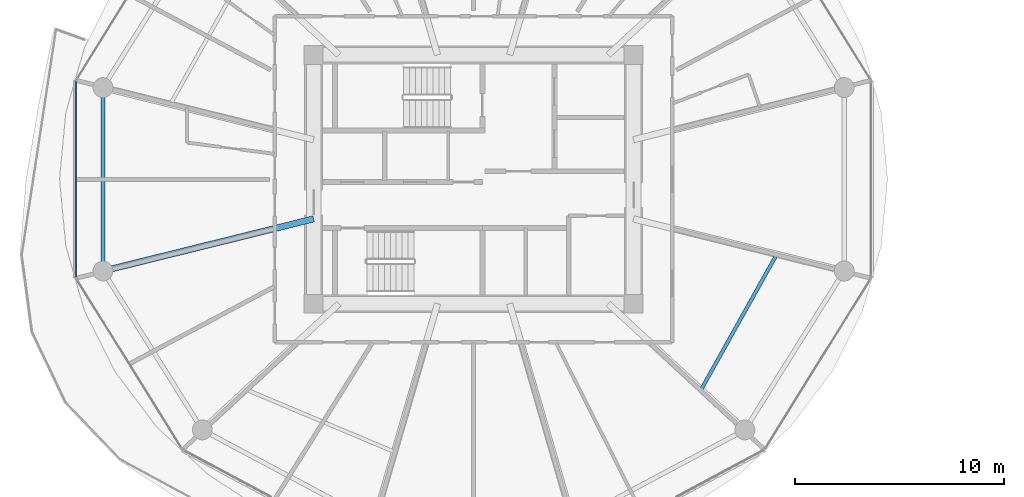
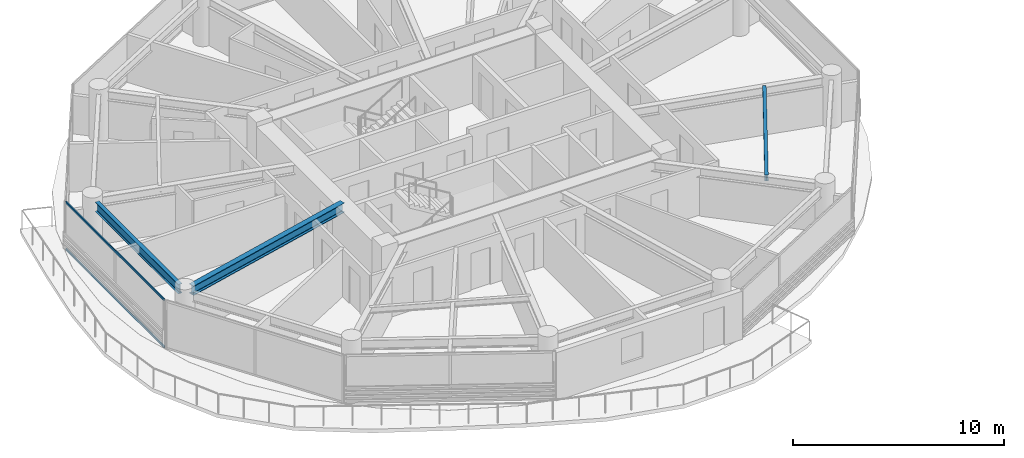
# One storey, part 3 of 27: 3 beams, 2 members, 1 element without a shape of its own.
"""IFC4 building model written with IfcOpenShell, lengths in metres."""

from ifc_helpers import new_model, si_unit, direction, frame, origin, origin_2d, place, context, subcontext, project, spatial, rectangle, i_section, extrude, source, transform, mapped, material, layer, layer_set, material_profile, profile_set, type_object, type_shapes, element, aggregate, save


model = new_model("IFC4")

# Units and contexts
model_context = context("Model", 3, precision=1e-05, world=origin(), true_north=direction((0.0, 1.0)))
body_context = subcontext(model_context, "Body", "Model", "MODEL_VIEW")
ifc_project = project(units=[si_unit("LENGTHUNIT", "METRE"), si_unit("AREAUNIT", "SQUARE_METRE"), si_unit("VOLUMEUNIT", "CUBIC_METRE"), si_unit("PLANEANGLEUNIT", "RADIAN"), si_unit("MASSUNIT", "GRAM", prefix="KILO")], contexts=[model_context])

# Site, building, storey
site_placement = place(None, origin())
site = spatial("IfcSite", under=ifc_project, at=site_placement, CompositionType="ELEMENT")
building_placement = place(site_placement, origin())
building = spatial("IfcBuilding", under=site, at=building_placement, Name="Norrkilde Senior Care Towers", CompositionType="ELEMENT")
storey_placement = place(building_placement, frame((0.0, 0.0, 46.0)))
storey = spatial("IfcBuildingStorey", under=building, at=storey_placement, Name="L13", CompositionType="ELEMENT", Elevation=46.0)

# Beams
ifc_material_1 = material(Name="Steel S355", Category="steel")
ifc_material_profile_1 = material_profile(ifc_material_1, i_section(OverallWidth=0.300048828125, OverallDepth=0.550048828125, WebThickness=0.014892578125, FlangeThickness=0.029052734375, FilletRadius=0.027099609375, at=origin_2d()), Name="HEB 550")
ifc_profile_set_1 = profile_set([ifc_material_profile_1], Name="Steel S355")
beam_type_1 = type_object("IfcBeamType", Name="Radial Floor Beam Z1 HEB550", PredefinedType="BEAM", material=ifc_profile_set_1)
shared_shape_1 = source(origin(), body_context, "Body", "SweptSolid", [
    extrude(i_section(OverallWidth=0.300048828125, OverallDepth=0.550048828125, WebThickness=0.014892578125, FlangeThickness=0.029052734375, FilletRadius=0.027099609375, at=origin_2d()), origin(), (0.0, 0.0, 1.0), 9.94384765625),
])
type_shapes(beam_type_1, [shared_shape_1])
beam_1_placement = place(storey_placement, frame((-35.64990234375, -1.893310546875, 2.514892578125), z_axis=(-0.970707425182, -0.240264634718, 0.0), x_axis=(0.240264634718, -0.970707425182, 0.0)))
element("IfcBeam", 1, at=beam_1_placement, inside=storey, type_object=beam_type_1, Name="L13 Drum W Radial Floor Beam 07", PredefinedType="BEAM", context=body_context, shape_type="MappedRepresentation", body=[
    mapped(shared_shape_1, transform((0.0, 0.0, 0.0), x_axis=(1.0, 0.0, 0.0), y_axis=(0.0, 1.0, 0.0), z_axis=(0.0, 0.0, 1.0), scale=1.0)),
])
ifc_material_profile_2 = material_profile(ifc_material_1, i_section(OverallWidth=0.2099609375, OverallDepth=0.550048828125, WebThickness=0.010986328125, FlangeThickness=0.01708984375, FilletRadius=0.02392578125, at=origin_2d()), Name="IPE 550")
ifc_profile_set_2 = profile_set([ifc_material_profile_2], Name="Steel S355")
beam_type_2 = type_object("IfcBeamType", Name="Perimeter Ring Spandrel Z1 IPE550", PredefinedType="SPANDREL", material=ifc_profile_set_2)
shared_shape_2 = source(origin(), body_context, "Body", "SweptSolid", [
    extrude(i_section(OverallWidth=0.2099609375, OverallDepth=0.550048828125, WebThickness=0.010986328125, FlangeThickness=0.01708984375, FilletRadius=0.02392578125, at=origin_2d()), origin(), (0.0, 0.0, 1.0), 7.90380859375),
])
type_shapes(beam_type_2, [shared_shape_2])
beam_2_placement = place(storey_placement, frame((-45.724853515625, 3.951904296875, 2.514892578125), z_axis=(0.0, -1.0, 0.0), x_axis=(1.0, 0.0, 0.0)))
element("IfcBeam", 2, at=beam_2_placement, inside=storey, type_object=beam_type_2, Name="L13 Drum W Perimeter Spandrel 06", PredefinedType="SPANDREL", context=body_context, shape_type="MappedRepresentation", body=[
    mapped(shared_shape_2, transform((0.0, 0.0, 0.0), x_axis=(1.0, 0.0, 0.0), y_axis=(0.0, 1.0, 0.0), z_axis=(0.0, 0.0, 1.0), scale=1.0)),
])
ifc_material_profile_3 = material_profile(ifc_material_1, i_section(OverallWidth=0.169921875, OverallDepth=0.360107421875, WebThickness=0.008056640625, FlangeThickness=0.0126953125, FilletRadius=0.01806640625, at=origin_2d()), Name="IPE 360")
ifc_profile_set_3 = profile_set([ifc_material_profile_3], Name="Steel S355")
beam_type_3 = type_object("IfcBeamType", Name="Secondary Floor Joist IPE360", PredefinedType="JOIST", material=ifc_profile_set_3)
shared_shape_3 = source(origin(), body_context, "Body", "SweptSolid", [
    extrude(i_section(OverallWidth=0.169921875, OverallDepth=0.360107421875, WebThickness=0.008056640625, FlangeThickness=0.0126953125, FilletRadius=0.01806640625, at=origin_2d()), origin(), (0.0, 0.0, 1.0), 7.40771484375),
])
type_shapes(beam_type_3, [shared_shape_3])
beam_3_placement = place(storey_placement, frame((-17.115478515625, -10.05419921875, 2.610107421875), z_axis=(0.488167754092, 0.872749817453, 0.0), x_axis=(-0.872749817453, 0.488167754092, 0.0)))
element("IfcBeam", 3, at=beam_3_placement, inside=storey, type_object=beam_type_3, Name="L13 Drum W Secondary Floor Joist 4", PredefinedType="JOIST", context=body_context, shape_type="MappedRepresentation", body=[
    mapped(shared_shape_3, transform((0.0, 0.0, 0.0), x_axis=(1.0, 0.0, 0.0), y_axis=(0.0, 1.0, 0.0), z_axis=(0.0, 0.0, 1.0), scale=1.0)),
])

# Curtain wall, members
ifc_material_2 = material(Name="Triple Low-E Insulated Glazing", Category="glass")
ifc_layer = layer(ifc_material_2, 0.199951171875)
ifc_layer_set = layer_set([ifc_layer], Name="Triple Low-E Insulated Glazing")
curtain_wall_type = type_object("IfcCurtainWallType", Name="CW2 Zone 1 Memory Care Curtain Wall", PredefinedType="NOTDEFINED", material=ifc_layer_set)
curtain_wall_placement = place(storey_placement, origin())
curtain_wall = element("IfcCurtainWall", 4, at=curtain_wall_placement, inside=storey, type_object=curtain_wall_type, Name="L13 Drum W Curtain Wall 05", PredefinedType="NOTDEFINED")
ifc_material_3 = material(Name="Anodised Aluminium", Category="aluminium")
ifc_material_profile_4 = material_profile(ifc_material_3, rectangle(XDim=0.06005859375, YDim=0.1201171875, at=origin_2d()), Name="ALU TRAN 60x120")
ifc_profile_set_4 = profile_set([ifc_material_profile_4], Name="Anodised Aluminium")
member_type = type_object("IfcMemberType", Name="Curtain Wall Transom Typical 60x120", PredefinedType="USERDEFINED", material=ifc_profile_set_4)
shared_shape_4 = source(origin(), body_context, "Body", "SweptSolid", [
    extrude(rectangle(XDim=0.06005859375, YDim=0.1201171875, at=origin_2d()), origin(), (0.0, 0.0, 1.0), 9.33251953125),
])
type_shapes(member_type, [shared_shape_4])
member_1_placement = place(storey_placement, frame((-47.009521484375, -4.666259765625, 0.030029296875), z_axis=(0.0, 1.0, 0.0), x_axis=(-1.0, 0.0, 0.0)))
member_1 = element("IfcMember", 5, at=member_1_placement, type_object=member_type, Name="CW-2 transom 1.1", ObjectType="TRANSOM", PredefinedType="USERDEFINED", context=body_context, shape_type="MappedRepresentation", body=[
    mapped(shared_shape_4, transform((0.0, 0.0, 0.0), x_axis=(1.0, 0.0, 0.0), y_axis=(0.0, 1.0, 0.0), z_axis=(0.0, 0.0, 1.0), scale=1.0)),
])
member_2_placement = place(storey_placement, frame((-47.009521484375, -4.666259765625, 2.760009765625), z_axis=(0.0, 1.0, 0.0), x_axis=(-1.0, 0.0, 0.0)))
member_2 = element("IfcMember", 6, at=member_2_placement, type_object=member_type, Name="CW-2 transom 1.2", ObjectType="TRANSOM", PredefinedType="USERDEFINED", context=body_context, shape_type="MappedRepresentation", body=[
    mapped(shared_shape_4, transform((0.0, 0.0, 0.0), x_axis=(1.0, 0.0, 0.0), y_axis=(0.0, 1.0, 0.0), z_axis=(0.0, 0.0, 1.0), scale=1.0)),
])
aggregate(curtain_wall, [member_1, member_2])

save(model, "model.ifc")
